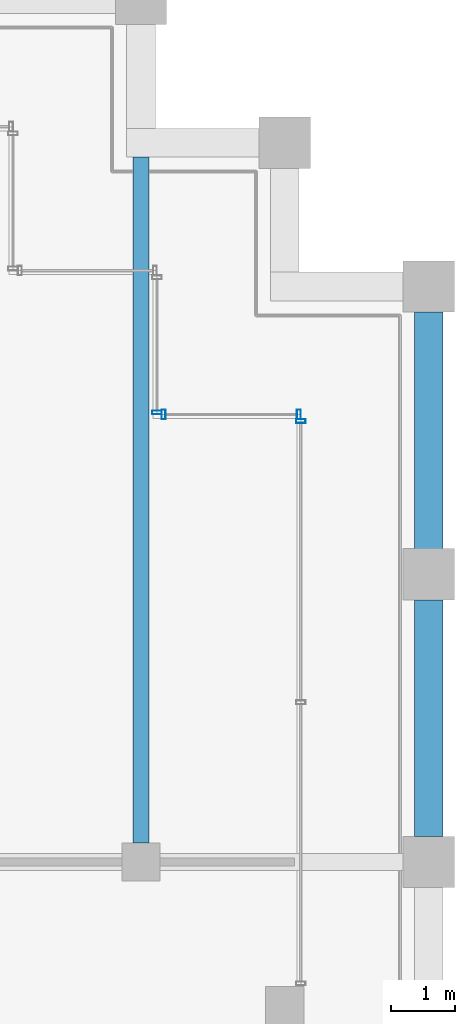
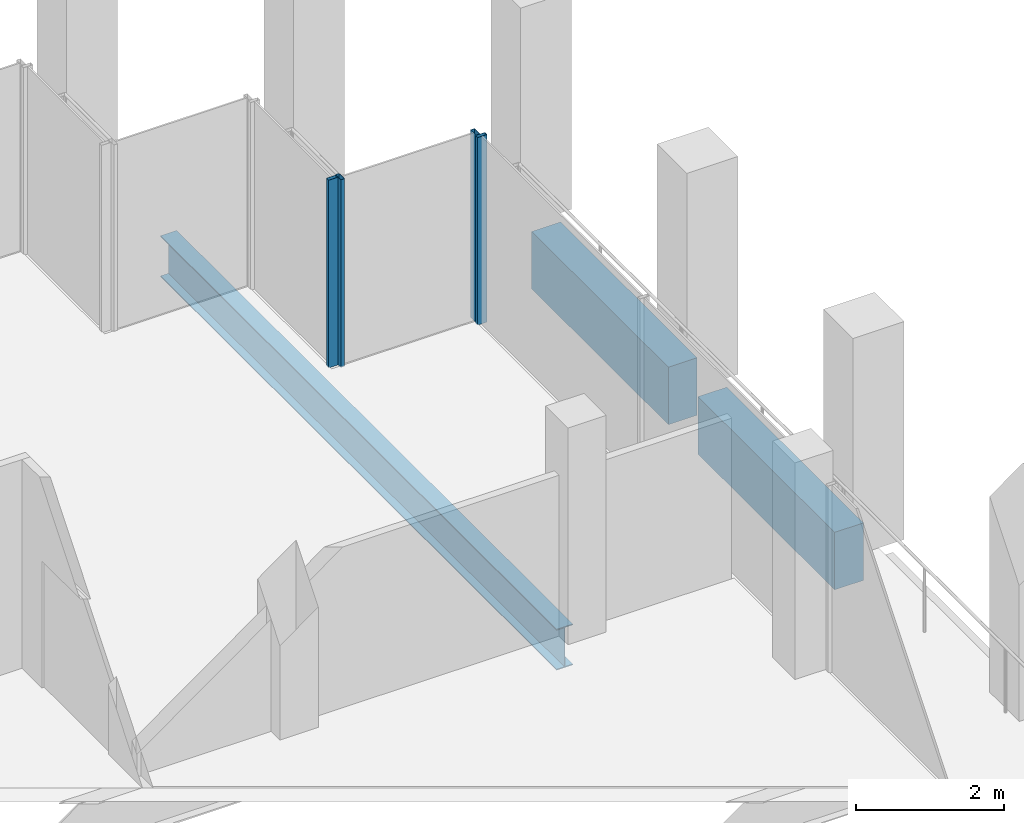
# One storey, part 25 of 30: 4 members, 3 beams, 3 elements without a shape of their own.
"""IFC4 building model written with IfcOpenShell, lengths in metres."""

import ifcopenshell
import ifcopenshell.guid

model = None  # the IFC model being written
_history = None  # IfcOwnerHistory: only IFC2X3 demands one
_inside = {}  # id of a spatial element -> (the spatial element, [elements in it])
_under = {}  # id of a project, library or spatial element -> (it, [spatial elements below it])
_declared = {}  # id of a project -> (the project, [libraries it declares])
_typed = {}  # id of a type object -> (the type object, [elements of that type])
_made_of = {}  # id of a material, layer set ... -> (it, [elements and type objects made of it])


def new_model(schema):
    """Start an empty IFC model of exactly this schema.

    Asked for "IFC4X3", IfcOpenShell would pick the latest addendum, in which some entities
    have other attributes; the version numbers below select the first issue.
    IFC2X3 requires an IfcOwnerHistory on every rooted entity: one is made here for all.
    """
    global model, _history
    if schema == "IFC4X3":
        model = ifcopenshell.file(schema_version=(4, 3, 0, 0))
    else:
        model = ifcopenshell.file(schema=schema)
    _inside.clear()
    _under.clear()
    _declared.clear()
    _typed.clear()
    _made_of.clear()
    _history = None
    if model.schema == "IFC2X3":
        org = make("IfcOrganization", Name="unknown")
        user = make(
            "IfcPersonAndOrganization",
            ThePerson=make("IfcPerson", FamilyName="unknown"),
            TheOrganization=org,
        )
        app = make(
            "IfcApplication",
            ApplicationDeveloper=org,
            Version="unknown",
            ApplicationFullName="unknown",
            ApplicationIdentifier="unknown",
        )
        _history = make(
            "IfcOwnerHistory",
            OwningUser=user,
            OwningApplication=app,
            ChangeAction="ADDED",
            CreationDate=0,
        )
    return model


def make(cls, **values):
    """One entity of the class cls with the attributes given. An attribute that is None is left unset."""
    return model.create_entity(
        cls, **{name: value for name, value in values.items() if value is not None}
    )


def rooted(cls, **values):
    """An entity with a GlobalId (a new one), such as an element, a storey or a relation."""
    return make(cls, GlobalId=ifcopenshell.guid.new(), OwnerHistory=_history, **values)


def si_unit(unit_type, name, prefix=None):
    """IfcSIUnit, for example si_unit("LENGTHUNIT", "METRE", prefix="MILLI")."""
    return make("IfcSIUnit", UnitType=unit_type, Prefix=prefix, Name=name)


def assignment(units):
    """IfcUnitAssignment: the units of a project."""
    return None if units is None else make("IfcUnitAssignment", Units=units)


def point(xyz):
    """IfcCartesianPoint."""
    return None if xyz is None else make("IfcCartesianPoint", Coordinates=xyz)


def direction(xyz):
    """IfcDirection."""
    return None if xyz is None else make("IfcDirection", DirectionRatios=xyz)


def frame(location, z_axis=None, x_axis=None):
    """IfcAxis2Placement3D, a coordinate frame: its origin and axes. An axis left out is left unset."""
    return make(
        "IfcAxis2Placement3D",
        Location=point(location),
        Axis=direction(z_axis),
        RefDirection=direction(x_axis),
    )


def frame_2d(location, x_axis=None):
    """IfcAxis2Placement2D, a coordinate frame in the plane: its origin and x axis."""
    return make(
        "IfcAxis2Placement2D", Location=point(location), RefDirection=direction(x_axis)
    )


def origin():
    """The frame at (0, 0, 0) with its axes left unset."""
    return frame((0.0, 0.0, 0.0))


def origin_2d():
    """The frame at (0, 0) in the plane with its x axis left unset."""
    return frame_2d((0.0, 0.0))


def place(relative_to, where):
    """IfcLocalPlacement: puts the frame where relative to a parent placement (None: the world)."""
    return make(
        "IfcLocalPlacement", PlacementRelTo=relative_to, RelativePlacement=where
    )


def context(
    kind, dimensions, precision=None, world=None, true_north=None, identifier=None
):
    """IfcGeometricRepresentationContext, for example the 3D "Model" context."""
    return make(
        "IfcGeometricRepresentationContext",
        ContextIdentifier=identifier,
        ContextType=kind,
        CoordinateSpaceDimension=dimensions,
        Precision=precision,
        WorldCoordinateSystem=world,
        TrueNorth=true_north,
    )


def subcontext(parent, identifier, kind, view, scale=None):
    """IfcGeometricRepresentationSubContext, for example "Body" below "Model"."""
    return make(
        "IfcGeometricRepresentationSubContext",
        ContextIdentifier=identifier,
        ContextType=kind,
        ParentContext=parent,
        TargetScale=scale,
        TargetView=view,
    )


def project(units=None, contexts=None):
    """IfcProject with its units and contexts."""
    return rooted(
        "IfcProject",
        Name="project",
        RepresentationContexts=contexts,
        UnitsInContext=assignment(units),
    )


def spatial(cls, under=None, at=None, **own):
    """A site, building, storey or space (cls), placed at a placement, below another one or the project."""
    s = rooted(cls, ObjectPlacement=at, **own)
    if under is not None:
        _under.setdefault(under.id(), (under, []))[1].append(s)
    return s


def profile(cls, at=None, kind="AREA", **sizes):
    """A parametric profile (cls). Its sizes go by their IFC names, for example OverallWidth=200.0."""
    return make(cls, ProfileType=kind, Position=at, **sizes)


def rectangle(**sizes):
    """IfcRectangleProfileDef."""
    return profile("IfcRectangleProfileDef", **sizes)


def hollow_rectangle(**sizes):
    """IfcRectangleHollowProfileDef."""
    return profile("IfcRectangleHollowProfileDef", **sizes)


def i_section(**sizes):
    """IfcIShapeProfileDef."""
    return profile("IfcIShapeProfileDef", **sizes)


def extrude(swept, where, along, depth):
    """IfcExtrudedAreaSolid: the profile swept, set in the frame where, extruded along a direction by depth."""
    return make(
        "IfcExtrudedAreaSolid",
        SweptArea=swept,
        Position=where,
        ExtrudedDirection=direction(along),
        Depth=depth,
    )


def shape(context_of_items, identifier, shape_type, items):
    """IfcShapeRepresentation: the items that make up one representation, for example the "Body"."""
    return make(
        "IfcShapeRepresentation",
        ContextOfItems=context_of_items,
        RepresentationIdentifier=identifier,
        RepresentationType=shape_type,
        Items=items,
    )


def material(Name=None, Category=None):
    """IfcMaterial."""
    return make("IfcMaterial", Name=Name, Category=Category)


def material_profile(
    of_material, cross_section, Name=None, Category=None, Priority=None
):
    """IfcMaterialProfile: a cross section and its material."""
    return make(
        "IfcMaterialProfile",
        Name=Name,
        Material=of_material,
        Profile=cross_section,
        Priority=Priority,
        Category=Category,
    )


def profile_set(profiles, Name=None, composite=None):
    """IfcMaterialProfileSet."""
    return make(
        "IfcMaterialProfileSet",
        Name=Name,
        MaterialProfiles=profiles,
        CompositeProfile=composite,
    )


def made_of(thing, what):
    """Note that an element or type object is made of a material, layer set ...; save() writes the relation."""
    if what is not None:
        _made_of.setdefault(what.id(), (what, []))[1].append(thing)
    return thing


def type_object(cls, material=None, **own):
    """A type object (cls), such as IfcWallType, which elements share."""
    return made_of(rooted(cls, **own), material)


def element(
    cls,
    number,
    at=None,
    inside=None,
    cuts=None,
    type_object=None,
    material=None,
    context=None,
    identifier="Body",
    shape_type=None,
    held_by="IfcProductDefinitionShape",
    body=None,
    shapes=None,
    **own,
):
    """One element of the class cls, such as IfcWall. Its Tag is "e" and its number.

    at: its placement. inside: the storey or other place that contains it. cuts: it is an
    opening in that element (IfcRelVoidsElement). A single representation is given by context,
    identifier, shape_type and body (its items); several are given by shapes. held_by: the class
    of the entity that holds the representations. save() writes the other relations.
    """
    e = rooted(cls, Tag="e%d" % number, ObjectPlacement=at, **own)
    if body is not None:
        shapes = [shape(context, identifier, shape_type, body)]
    if shapes is not None:
        e.Representation = make(held_by, Representations=shapes)
    if inside is not None:
        _inside.setdefault(inside.id(), (inside, []))[1].append(e)
    if cuts is not None:
        rooted(
            "IfcRelVoidsElement", RelatingBuildingElement=cuts, RelatedOpeningElement=e
        )
    if type_object is not None:
        _typed.setdefault(type_object.id(), (type_object, []))[1].append(e)
    return made_of(e, material)


def aggregate(whole, parts):
    """IfcRelAggregates: a whole, such as a stair, and the parts it consists of."""
    return rooted("IfcRelAggregates", RelatingObject=whole, RelatedObjects=parts)


def save(model, path):
    """Write the relations noted so far, then the file.

    IfcRelAggregates (storeys below a building ...), IfcRelContainedInSpatialStructure (elements
    in a storey), IfcRelDefinesByType, IfcRelAssociatesMaterial and IfcRelDeclares: one each for
    every whole, place, type object, material and project.
    """
    for whole, parts in _under.values():
        aggregate(whole, parts)
    for where, things in _inside.values():
        rooted(
            "IfcRelContainedInSpatialStructure",
            RelatedElements=things,
            RelatingStructure=where,
        )
    for kind, things in _typed.values():
        rooted("IfcRelDefinesByType", RelatedObjects=things, RelatingType=kind)
    for what, things in _made_of.values():
        rooted("IfcRelAssociatesMaterial", RelatedObjects=things, RelatingMaterial=what)
    for by, libraries in _declared.values():
        rooted("IfcRelDeclares", RelatingContext=by, RelatedDefinitions=libraries)
    model.write(path)


model = new_model("IFC4")

# Units and contexts
model_context = context("Model", 3, precision=1e-05, world=origin(), true_north=direction((0.0, 1.0)))
body_context = subcontext(model_context, "Body", "Model", "MODEL_VIEW")
ifc_project = project(units=[si_unit("LENGTHUNIT", "METRE"), si_unit("AREAUNIT", "SQUARE_METRE"), si_unit("VOLUMEUNIT", "CUBIC_METRE"), si_unit("PLANEANGLEUNIT", "RADIAN"), si_unit("MASSUNIT", "GRAM", prefix="KILO")], contexts=[model_context])

# Site, building, storey
site_placement = place(None, origin())
site = spatial("IfcSite", under=ifc_project, at=site_placement, CompositionType="ELEMENT")
building_placement = place(site_placement, origin())
building = spatial("IfcBuilding", under=site, at=building_placement, Name="Altepetl Exchange Towers", CompositionType="ELEMENT")
storey_placement = place(building_placement, frame((0.0, 0.0, 228.0)))
storey = spatial("IfcBuildingStorey", under=building, at=storey_placement, Name="L58", CompositionType="ELEMENT", Elevation=228.0)

# Beam
ifc_material_1 = material(Name="Steel S355", Category="steel")
ifc_material_profile_1 = material_profile(ifc_material_1, i_section(OverallWidth=0.2529296875, OverallDepth=0.677978515625, WebThickness=0.01171875, FlangeThickness=0.016357421875, at=origin_2d()), Name="W27X84")
ifc_profile_set_1 = profile_set([ifc_material_profile_1], Name="Steel S355")
beam_type_1 = type_object("IfcBeamType", Name="Floor beam W27X84", PredefinedType="BEAM", material=ifc_profile_set_1)
beam_placement = place(storey_placement, frame((67.5, 58.800048828125, -0.489013671875), z_axis=(0.0, 1.0, 0.0), x_axis=(-1.0, 0.0, 0.0)))
element("IfcBeam", 1, at=beam_placement, inside=storey, type_object=beam_type_1, Name="bm:A:L58:005", PredefinedType="BEAM", context=body_context, shape_type="SweptSolid", body=[
    extrude(i_section(OverallWidth=0.2529296875, OverallDepth=0.677978515625, WebThickness=0.01171875, FlangeThickness=0.016357421875, at=origin_2d()), origin(), (0.0, 0.0, 1.0), 10.724853515625),
])

# Curtain wall, member
ifc_material_2 = material(Name="Aluminium 6063-T6 glazing", Category="aluminium")
curtain_wall_type = type_object("IfcCurtainWallType", Name="Loggia glazing system", PredefinedType="NOTDEFINED", material=ifc_material_2)
curtain_wall_1_placement = place(storey_placement, origin())
curtain_wall_1 = element("IfcCurtainWall", 2, at=curtain_wall_1_placement, inside=storey, type_object=curtain_wall_type, Name="CW1 run", PredefinedType="NOTDEFINED")
ifc_material_3 = material(Name="Aluminium 6063-T6", Category="aluminium")
ifc_material_profile_2 = material_profile(ifc_material_3, hollow_rectangle(XDim=0.06005859375, YDim=0.14990234375, WallThickness=0.0029296875, at=origin_2d()), Name="Mullion 60x150 aluminium")
ifc_profile_set_2 = profile_set([ifc_material_profile_2], Name="Aluminium 6063-T6")
member_type = type_object("IfcMemberType", Name="Mullion 60x150 aluminium", PredefinedType="MULLION", material=ifc_profile_set_2)
member_1_placement = place(storey_placement, frame((70.0, 65.39501953125, 0.0), z_axis=(0.0, 0.0, 1.0), x_axis=(0.0, 1.0, 0.0)))
member_1 = element("IfcMember", 3, at=member_1_placement, type_object=member_type, Name="MU1 mullion", PredefinedType="MULLION", context=body_context, shape_type="SweptSolid", body=[
    extrude(hollow_rectangle(XDim=0.06005859375, YDim=0.14990234375, WallThickness=0.0029296875, at=origin_2d()), origin(), (0.0, 0.0, 1.0), 3.10009765625),
])
aggregate(curtain_wall_1, [member_1])

# Curtain wall, members
curtain_wall_2_placement = place(storey_placement, origin())
curtain_wall_2 = element("IfcCurtainWall", 4, at=curtain_wall_2_placement, inside=storey, type_object=curtain_wall_type, Name="CW1 run", PredefinedType="NOTDEFINED")
member_2_placement = place(storey_placement, frame((69.969970703125, 65.5, 0.0), z_axis=(0.0, 0.0, 1.0), x_axis=(-1.0, 0.0, 0.0)))
member_2 = element("IfcMember", 5, at=member_2_placement, type_object=member_type, Name="MU1 mullion", PredefinedType="MULLION", context=body_context, shape_type="SweptSolid", body=[
    extrude(hollow_rectangle(XDim=0.06005859375, YDim=0.14990234375, WallThickness=0.0029296875, at=origin_2d()), origin(), (0.0, 0.0, 1.0), 3.10009765625),
])
member_3_placement = place(storey_placement, frame((67.85498046875, 65.5, 0.0), z_axis=(0.0, 0.0, 1.0), x_axis=(-1.0, 0.0, 0.0)))
member_3 = element("IfcMember", 6, at=member_3_placement, type_object=member_type, Name="MU1 mullion", PredefinedType="MULLION", context=body_context, shape_type="SweptSolid", body=[
    extrude(hollow_rectangle(XDim=0.06005859375, YDim=0.14990234375, WallThickness=0.0029296875, at=origin_2d()), origin(), (0.0, 0.0, 1.0), 3.10009765625),
])
aggregate(curtain_wall_2, [member_2, member_3])

# Curtain wall, member
curtain_wall_3_placement = place(storey_placement, origin())
curtain_wall_3 = element("IfcCurtainWall", 7, at=curtain_wall_3_placement, inside=storey, type_object=curtain_wall_type, Name="CW1 run", PredefinedType="NOTDEFINED")
member_4_placement = place(storey_placement, frame((67.75, 65.530029296875, 0.0), z_axis=(0.0, 0.0, 1.0), x_axis=(0.0, 1.0, 0.0)))
member_4 = element("IfcMember", 8, at=member_4_placement, type_object=member_type, Name="MU1 mullion", PredefinedType="MULLION", context=body_context, shape_type="SweptSolid", body=[
    extrude(hollow_rectangle(XDim=0.06005859375, YDim=0.14990234375, WallThickness=0.0029296875, at=origin_2d()), origin(), (0.0, 0.0, 1.0), 3.10009765625),
])
aggregate(curtain_wall_3, [member_4])

# Beams
ifc_material_4 = material(Name="Concrete C50/60 precast with cantera rosa facing", Category="concrete")
ifc_material_profile_3 = material_profile(ifc_material_4, rectangle(XDim=0.449951171875, YDim=0.949951171875, at=origin_2d()), Name="450 x 950")
ifc_profile_set_3 = profile_set([ifc_material_profile_3], Name="Concrete C50/60 precast with cantera rosa facing")
beam_type_2 = type_object("IfcBeamType", Name="Spandrel beam 450x950 cantera rosa", PredefinedType="SPANDREL", material=ifc_profile_set_3)
for number, where, z_axis, x_axis, name in (
    (9, (72.0, 58.89990234375, -0.625), (0.0, 1.0, 0.0), (-1.0, 0.0, 0.0), "sp:A:L58:018"),
    (10, (72.0, 63.39990234375, -0.625), (0.0, 1.0, 0.0), (-1.0, 0.0, 0.0), "sp:A:L58:019"),
):
    element("IfcBeam", number, at=place(storey_placement, frame(where, z_axis=z_axis, x_axis=x_axis)), inside=storey, type_object=beam_type_2, Name=name, PredefinedType="SPANDREL", context=body_context, shape_type="SweptSolid", body=[
        extrude(rectangle(XDim=0.449951171875, YDim=0.949951171875, at=origin_2d()), origin(), (0.0, 0.0, 1.0), 3.7001953125),
    ])

save(model, "model.ifc")
